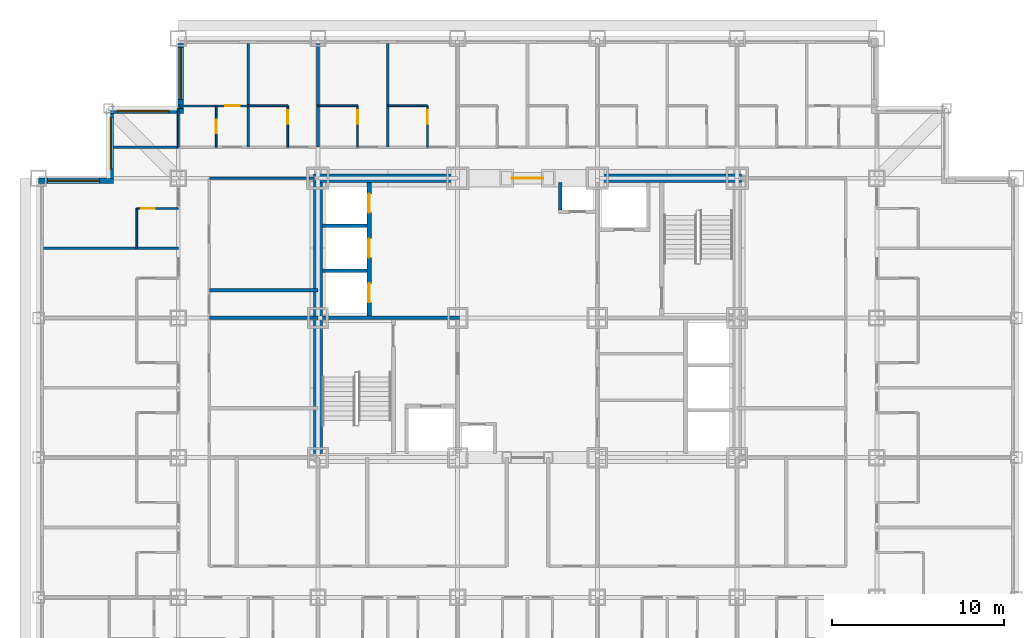
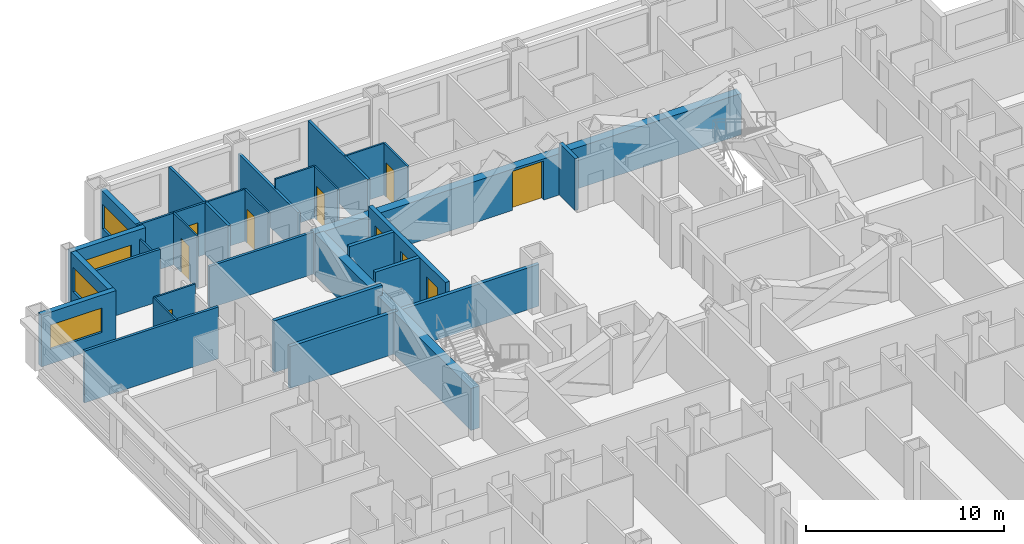
# One storey, part 8 of 12: 30 walls, 10 doors, 4 windows, 14 openings.
"""IFC4 building model written with IfcOpenShell, lengths in metres."""

from ifc_helpers import new_model, si_unit, direction, frame, frame_2d, origin, place, context, subcontext, project, spatial, rectangle, extrude, material, layer, layer_set, type_object, element, fill, save


model = new_model("IFC4")

# Units and contexts
model_context = context("Model", 3, precision=1e-05, world=origin(), true_north=direction((0.0, 1.0)))
body_context = subcontext(model_context, "Body", "Model", "MODEL_VIEW")
ifc_project = project(units=[si_unit("LENGTHUNIT", "METRE"), si_unit("AREAUNIT", "SQUARE_METRE"), si_unit("VOLUMEUNIT", "CUBIC_METRE"), si_unit("PLANEANGLEUNIT", "RADIAN"), si_unit("MASSUNIT", "GRAM", prefix="KILO")], contexts=[model_context])

# Site, building, storey
site_placement = place(None, origin())
site = spatial("IfcSite", under=ifc_project, at=site_placement, CompositionType="ELEMENT")
building_placement = place(site_placement, origin())
building = spatial("IfcBuilding", under=site, at=building_placement, Name="Kopane Lantern Tower", CompositionType="ELEMENT")
storey_placement = place(building_placement, frame((0.0, 0.0, 43.199951171875)))
storey = spatial("IfcBuildingStorey", under=building, at=storey_placement, Name="L09", CompositionType="ELEMENT", Elevation=43.199951171875)

# Wall, opening, door
ifc_material_1 = material(Name="Gypsum board on steel studs", Category="steel")
ifc_layer_1 = layer(ifc_material_1, 0.1201171875)
ifc_layer_set_1 = layer_set([ifc_layer_1], Name="APARTMENT INTERNAL WALL 120")
wall_type_1 = type_object("IfcWallType", Name="APARTMENT INTERNAL WALL 120", PredefinedType="PARTITIONING", material=ifc_layer_set_1)
wall_1_placement = place(storey_placement, frame((8.10009765625, 44.699951171875, 0.0), z_axis=(0.0, 0.0, 1.0), x_axis=(1.0, 0.0, 0.0)))
wall_1 = element("IfcWall", 1, at=wall_1_placement, inside=storey, type_object=wall_type_1, Name="Apartment Internal Wall 120 L09", PredefinedType="PARTITIONING", context=body_context, shape_type="SweptSolid", body=[
    extrude(rectangle(XDim=4.0498046875, YDim=0.1201171875, at=frame_2d((2.02490234375, 0.0))), origin(), (0.0, 0.0, 1.0), 3.18994140625),
])
opening_1_placement = place(wall_1_placement, frame((2.72509765625, 0.0, 0.0)))
opening_1 = element("IfcOpeningElement", 2, at=opening_1_placement, cuts=wall_1, Name="Opening L09-088", PredefinedType="OPENING", context=body_context, shape_type="SweptSolid", body=[
    extrude(rectangle(XDim=0.85009765625, YDim=2.10009765625, at=frame_2d((0.425048828125, 1.050048828125))), frame((0.0, 0.070068359375, 0.0), z_axis=(0.0, -1.0, 0.0), x_axis=(1.0, 0.0, 0.0)), (0.0, 0.0, 1.0), 0.14013671875),
])
ifc_material_2 = material(Name="Timber door set", Category="wood")
door_type_1 = type_object("IfcDoorType", Name="DOOR D4 850x2100", OperationType="SINGLE_SWING_LEFT", PredefinedType="DOOR", material=ifc_material_2)
door_1_placement = place(opening_1_placement, origin())
door_1 = element("IfcDoor", 3, at=door_1_placement, inside=storey, type_object=door_type_1, Name="Door L09-088", OperationType="SINGLE_SWING_LEFT", OverallHeight=2.10009765625, OverallWidth=0.85009765625, PredefinedType="DOOR", context=body_context, shape_type="SweptSolid", body=[
    extrude(rectangle(XDim=0.85009765625, YDim=2.10009765625, at=frame_2d((0.425048828125, 1.050048828125))), frame((0.0, 0.02490234375, 0.0), z_axis=(0.0, -1.0, 0.0), x_axis=(1.0, 0.0, 0.0)), (0.0, 0.0, 1.0), 0.050048828125),
])
fill(opening_1, door_1)

# Wall
ifc_material_3 = material(Name="Moisture-resistant board on steel studs", Category="steel")
ifc_layer_2 = layer(ifc_material_3, 0.10009765625)
ifc_layer_set_2 = layer_set([ifc_layer_2], Name="BATHROOM WALL 100")
wall_type_2 = type_object("IfcWallType", Name="BATHROOM WALL 100", PredefinedType="PARTITIONING", material=ifc_layer_set_2)
wall_2_placement = place(storey_placement, frame((12.14990234375, 44.699951171875, 0.0), z_axis=(0.0, 0.0, 1.0), x_axis=(1.0, 0.0, 0.0)))
element("IfcWall", 4, at=wall_2_placement, inside=storey, type_object=wall_type_2, Name="Bathroom Wall 100 L09", PredefinedType="PARTITIONING", context=body_context, shape_type="SweptSolid", body=[
    extrude(rectangle(XDim=2.300048828125, YDim=0.10009765625, at=frame_2d((1.14990234375, 0.0))), origin(), (0.0, 0.0, 1.0), 3.18994140625),
])

# Wall, opening, door
wall_3_placement = place(storey_placement, frame((14.449951171875, 42.300048828125, 0.0), z_axis=(0.0, 0.0, 1.0), x_axis=(0.0, 1.0, 0.0)))
wall_3 = element("IfcWall", 5, at=wall_3_placement, inside=storey, type_object=wall_type_2, Name="Bathroom Wall 100 L09", PredefinedType="PARTITIONING", context=body_context, shape_type="SweptSolid", body=[
    extrude(rectangle(XDim=2.39990234375, YDim=0.10009765625, at=frame_2d((1.199951171875, 0.0))), origin(), (0.0, 0.0, 1.0), 3.18994140625),
])
opening_2_placement = place(wall_3_placement, frame((1.35009765625, 0.0, 0.0)))
opening_2 = element("IfcOpeningElement", 6, at=opening_2_placement, cuts=wall_3, Name="Opening L09-033", PredefinedType="OPENING", context=body_context, shape_type="SweptSolid", body=[
    extrude(rectangle(XDim=0.800048828125, YDim=2.10009765625, at=frame_2d((0.39990234375, 1.050048828125))), frame((0.0, 0.06005859375, 0.0), z_axis=(0.0, -1.0, 0.0), x_axis=(1.0, 0.0, 0.0)), (0.0, 0.0, 1.0), 0.1201171875),
])
ifc_material_4 = material(Name="Timber door set", Category="wood")
door_type_2 = type_object("IfcDoorType", Name="DOOR D2 800x2100", OperationType="SINGLE_SWING_LEFT", PredefinedType="DOOR", material=ifc_material_4)
door_2_placement = place(opening_2_placement, origin())
door_2 = element("IfcDoor", 7, at=door_2_placement, inside=storey, type_object=door_type_2, Name="Door L09-033", OperationType="SINGLE_SWING_RIGHT", OverallHeight=2.10009765625, OverallWidth=0.800048828125, PredefinedType="DOOR", context=body_context, shape_type="SweptSolid", body=[
    extrude(rectangle(XDim=0.800048828125, YDim=2.10009765625, at=frame_2d((0.39990234375, 1.050048828125))), frame((0.0, 0.02490234375, 0.0), z_axis=(0.0, -1.0, 0.0), x_axis=(1.0, 0.0, 0.0)), (0.0, 0.0, 1.0), 0.050048828125),
])
fill(opening_2, door_2)

# Wall
wall_4_placement = place(storey_placement, frame((16.199951171875, 44.699951171875, 0.0), z_axis=(0.0, 0.0, 1.0), x_axis=(1.0, 0.0, 0.0)))
element("IfcWall", 8, at=wall_4_placement, inside=storey, type_object=wall_type_2, Name="Bathroom Wall 100 L09", PredefinedType="PARTITIONING", context=body_context, shape_type="SweptSolid", body=[
    extrude(rectangle(XDim=2.300048828125, YDim=0.10009765625, at=frame_2d((1.14990234375, 0.0))), origin(), (0.0, 0.0, 1.0), 3.18994140625),
])

# Wall, opening, door
wall_5_placement = place(storey_placement, frame((18.5, 42.300048828125, 0.0), z_axis=(0.0, 0.0, 1.0), x_axis=(0.0, 1.0, 0.0)))
wall_5 = element("IfcWall", 9, at=wall_5_placement, inside=storey, type_object=wall_type_2, Name="Bathroom Wall 100 L09", PredefinedType="PARTITIONING", context=body_context, shape_type="SweptSolid", body=[
    extrude(rectangle(XDim=2.39990234375, YDim=0.10009765625, at=frame_2d((1.199951171875, 0.0))), origin(), (0.0, 0.0, 1.0), 3.18994140625),
])
opening_3_placement = place(wall_5_placement, frame((1.35009765625, 0.0, 0.0)))
opening_3 = element("IfcOpeningElement", 10, at=opening_3_placement, cuts=wall_5, Name="Opening L09-035", PredefinedType="OPENING", context=body_context, shape_type="SweptSolid", body=[
    extrude(rectangle(XDim=0.800048828125, YDim=2.10009765625, at=frame_2d((0.39990234375, 1.050048828125))), frame((0.0, 0.06005859375, 0.0), z_axis=(0.0, -1.0, 0.0), x_axis=(1.0, 0.0, 0.0)), (0.0, 0.0, 1.0), 0.1201171875),
])
door_3_placement = place(opening_3_placement, origin())
door_3 = element("IfcDoor", 11, at=door_3_placement, inside=storey, type_object=door_type_2, Name="Door L09-035", OperationType="SINGLE_SWING_RIGHT", OverallHeight=2.10009765625, OverallWidth=0.800048828125, PredefinedType="DOOR", context=body_context, shape_type="SweptSolid", body=[
    extrude(rectangle(XDim=0.800048828125, YDim=2.10009765625, at=frame_2d((0.39990234375, 1.050048828125))), frame((0.0, 0.02490234375, 0.0), z_axis=(0.0, -1.0, 0.0), x_axis=(1.0, 0.0, 0.0)), (0.0, 0.0, 1.0), 0.050048828125),
])
fill(opening_3, door_3)

# Wall
wall_6_placement = place(storey_placement, frame((20.25, 44.699951171875, 0.0), z_axis=(0.0, 0.0, 1.0), x_axis=(1.0, 0.0, 0.0)))
element("IfcWall", 12, at=wall_6_placement, inside=storey, type_object=wall_type_2, Name="Bathroom Wall 100 L09", PredefinedType="PARTITIONING", context=body_context, shape_type="SweptSolid", body=[
    extrude(rectangle(XDim=2.300048828125, YDim=0.10009765625, at=frame_2d((1.14990234375, 0.0))), origin(), (0.0, 0.0, 1.0), 3.18994140625),
])

# Wall, opening, door
wall_7_placement = place(storey_placement, frame((22.550048828125, 42.300048828125, 0.0), z_axis=(0.0, 0.0, 1.0), x_axis=(0.0, 1.0, 0.0)))
wall_7 = element("IfcWall", 13, at=wall_7_placement, inside=storey, type_object=wall_type_2, Name="Bathroom Wall 100 L09", PredefinedType="PARTITIONING", context=body_context, shape_type="SweptSolid", body=[
    extrude(rectangle(XDim=2.39990234375, YDim=0.10009765625, at=frame_2d((1.199951171875, 0.0))), origin(), (0.0, 0.0, 1.0), 3.18994140625),
])
opening_4_placement = place(wall_7_placement, frame((1.35009765625, 0.0, 0.0)))
opening_4 = element("IfcOpeningElement", 14, at=opening_4_placement, cuts=wall_7, Name="Opening L09-037", PredefinedType="OPENING", context=body_context, shape_type="SweptSolid", body=[
    extrude(rectangle(XDim=0.800048828125, YDim=2.10009765625, at=frame_2d((0.39990234375, 1.050048828125))), frame((0.0, 0.06005859375, 0.0), z_axis=(0.0, -1.0, 0.0), x_axis=(1.0, 0.0, 0.0)), (0.0, 0.0, 1.0), 0.1201171875),
])
door_4_placement = place(opening_4_placement, origin())
door_4 = element("IfcDoor", 15, at=door_4_placement, inside=storey, type_object=door_type_2, Name="Door L09-037", OperationType="SINGLE_SWING_RIGHT", OverallHeight=2.10009765625, OverallWidth=0.800048828125, PredefinedType="DOOR", context=body_context, shape_type="SweptSolid", body=[
    extrude(rectangle(XDim=0.800048828125, YDim=2.10009765625, at=frame_2d((0.39990234375, 1.050048828125))), frame((0.0, 0.02490234375, 0.0), z_axis=(0.0, -1.0, 0.0), x_axis=(1.0, 0.0, 0.0)), (0.0, 0.0, 1.0), 0.050048828125),
])
fill(opening_4, door_4)

# Wall
wall_8_placement = place(storey_placement, frame((5.699951171875, 36.449951171875, 0.0), z_axis=(0.0, 0.0, 1.0), x_axis=(0.0, 1.0, 0.0)))
element("IfcWall", 16, at=wall_8_placement, inside=storey, type_object=wall_type_2, Name="Bathroom Wall 100 L09", PredefinedType="PARTITIONING", context=body_context, shape_type="SweptSolid", body=[
    extrude(rectangle(XDim=2.300048828125, YDim=0.10009765625, at=frame_2d((1.14990234375, 0.0))), origin(), (0.0, 0.0, 1.0), 3.18994140625),
])

# Wall, opening, door
wall_9_placement = place(storey_placement, frame((8.10009765625, 38.75, 0.0), z_axis=(0.0, 0.0, 1.0), x_axis=(-1.0, 0.0, 0.0)))
wall_9 = element("IfcWall", 17, at=wall_9_placement, inside=storey, type_object=wall_type_2, Name="Bathroom Wall 100 L09", PredefinedType="PARTITIONING", context=body_context, shape_type="SweptSolid", body=[
    extrude(rectangle(XDim=2.400146484375, YDim=0.10009765625, at=frame_2d((1.2001953125, 0.0))), origin(), (0.0, 0.0, 1.0), 3.18994140625),
])
opening_5_placement = place(wall_9_placement, frame((1.35009765625, 0.0, 0.0)))
opening_5 = element("IfcOpeningElement", 18, at=opening_5_placement, cuts=wall_9, Name="Opening L09-059", PredefinedType="OPENING", context=body_context, shape_type="SweptSolid", body=[
    extrude(rectangle(XDim=0.800048828125, YDim=2.10009765625, at=frame_2d((0.39990234375, 1.050048828125))), frame((0.0, 0.06005859375, 0.0), z_axis=(0.0, -1.0, 0.0), x_axis=(1.0, 0.0, 0.0)), (0.0, 0.0, 1.0), 0.1201171875),
])
door_5_placement = place(opening_5_placement, origin())
door_5 = element("IfcDoor", 19, at=door_5_placement, inside=storey, type_object=door_type_2, Name="Door L09-059", OperationType="SINGLE_SWING_RIGHT", OverallHeight=2.10009765625, OverallWidth=0.800048828125, PredefinedType="DOOR", context=body_context, shape_type="SweptSolid", body=[
    extrude(rectangle(XDim=0.800048828125, YDim=2.10009765625, at=frame_2d((0.39990234375, 1.050048828125))), frame((0.0, 0.02490234375, 0.0), z_axis=(0.0, -1.0, 0.0), x_axis=(1.0, 0.0, 0.0)), (0.0, 0.0, 1.0), 0.050048828125),
])
fill(opening_5, door_5)

wall_10_placement = place(storey_placement, frame((10.300048828125, 42.300048828125, 0.0), z_axis=(0.0, 0.0, 1.0), x_axis=(0.0, 1.0, 0.0)))
wall_10 = element("IfcWall", 20, at=wall_10_placement, inside=storey, type_object=wall_type_2, Name="Bathroom Wall 100 L09", PredefinedType="PARTITIONING", context=body_context, shape_type="SweptSolid", body=[
    extrude(rectangle(XDim=2.39990234375, YDim=0.10009765625, at=frame_2d((1.199951171875, 0.0))), origin(), (0.0, 0.0, 1.0), 3.18994140625),
])
opening_6_placement = place(wall_10_placement, frame((0.800048828125, 0.0, 0.0)))
opening_6 = element("IfcOpeningElement", 21, at=opening_6_placement, cuts=wall_10, Name="Opening L09-086", PredefinedType="OPENING", context=body_context, shape_type="SweptSolid", body=[
    extrude(rectangle(XDim=0.800048828125, YDim=2.10009765625, at=frame_2d((0.39990234375, 1.050048828125))), frame((0.0, 0.06005859375, 0.0), z_axis=(0.0, -1.0, 0.0), x_axis=(1.0, 0.0, 0.0)), (0.0, 0.0, 1.0), 0.1201171875),
])
door_6_placement = place(opening_6_placement, origin())
door_6 = element("IfcDoor", 22, at=door_6_placement, inside=storey, type_object=door_type_2, Name="Door L09-086", OperationType="SINGLE_SWING_LEFT", OverallHeight=2.10009765625, OverallWidth=0.800048828125, PredefinedType="DOOR", context=body_context, shape_type="SweptSolid", body=[
    extrude(rectangle(XDim=0.800048828125, YDim=2.10009765625, at=frame_2d((0.39990234375, 1.050048828125))), frame((0.0, 0.02490234375, 0.0), z_axis=(0.0, -1.0, 0.0), x_axis=(1.0, 0.0, 0.0)), (0.0, 0.0, 1.0), 0.050048828125),
])
fill(opening_6, door_6)

# Wall
wall_11_placement = place(storey_placement, frame((8.10009765625, 42.300048828125, 0.0), z_axis=(0.0, 0.0, 1.0), x_axis=(0.0, 1.0, 0.0)))
element("IfcWall", 23, at=wall_11_placement, inside=storey, type_object=wall_type_2, Name="Bathroom Wall 100 L09", PredefinedType="PARTITIONING", context=body_context, shape_type="SweptSolid", body=[
    extrude(rectangle(XDim=2.25, YDim=0.10009765625, at=frame_2d((1.125, 0.0))), origin(), (0.0, 0.0, 1.0), 2.577880859375),
])

# Wall, opening, door
ifc_material_5 = material(Name="Gypsum shaft wall EI 120", Category="gypsum")
ifc_layer_3 = layer(ifc_material_5, 0.5)
ifc_layer_set_3 = layer_set([ifc_layer_3], Name="CORE PERIMETER WALL 500 EI 120")
wall_type_3 = type_object("IfcWallType", Name="CORE PERIMETER WALL 500 EI 120", PredefinedType="SOLIDWALL", material=ifc_layer_set_3)
wall_12_placement = place(storey_placement, frame((15.949951171875, 40.5, 0.0), z_axis=(0.0, 0.0, 1.0), x_axis=(1.0, 0.0, 0.0)))
wall_12 = element("IfcWall", 24, at=wall_12_placement, inside=storey, type_object=wall_type_3, Name="Core shaft wall L09 PN", PredefinedType="SOLIDWALL", context=body_context, shape_type="SweptSolid", body=[
    extrude(rectangle(XDim=24.800048828125, YDim=0.5, at=frame_2d((12.39990234375, 0.0))), origin(), (0.0, 0.0, 1.0), 2.5400390625),
])
opening_7_placement = place(wall_12_placement, frame((11.5, 0.0, 0.0)))
opening_7 = element("IfcOpeningElement", 25, at=opening_7_placement, cuts=wall_12, Name="Opening 09.CE-N", PredefinedType="OPENING", context=body_context, shape_type="SweptSolid", body=[
    extrude(rectangle(XDim=1.800048828125, YDim=2.39990234375, at=frame_2d((0.89990234375, 1.199951171875))), frame((0.0, 0.260009765625, 0.0), z_axis=(0.0, -1.0, 0.0), x_axis=(1.0, 0.0, 0.0)), (0.0, 0.0, 1.0), 0.52001953125),
])
ifc_material_6 = material(Name="Steel door set", Category="steel")
door_type_3 = type_object("IfcDoorType", Name="CORE ENTRY DOOR 1800x2400 FD60S", OperationType="DOUBLE_DOOR_SINGLE_SWING", PredefinedType="DOOR", material=ifc_material_6)
door_7_placement = place(opening_7_placement, origin())
door_7 = element("IfcDoor", 26, at=door_7_placement, inside=storey, type_object=door_type_3, Name="Core entry door L09 north", OperationType="DOUBLE_DOOR_SINGLE_SWING", OverallHeight=2.39990234375, OverallWidth=1.800048828125, PredefinedType="DOOR", context=body_context, shape_type="SweptSolid", body=[
    extrude(rectangle(XDim=1.800048828125, YDim=2.39990234375, at=frame_2d((0.89990234375, 1.199951171875))), frame((0.0, 0.02490234375, 0.0), z_axis=(0.0, -1.0, 0.0), x_axis=(1.0, 0.0, 0.0)), (0.0, 0.0, 1.0), 0.050048828125),
])
fill(opening_7, door_7)

# Wall
wall_13_placement = place(storey_placement, frame((16.199951171875, 24.550048828125, 0.0), z_axis=(0.0, 0.0, 1.0), x_axis=(0.0, 1.0, 0.0)))
element("IfcWall", 27, at=wall_13_placement, inside=storey, type_object=wall_type_3, Name="Core shaft wall L09 PW", PredefinedType="SOLIDWALL", context=body_context, shape_type="SweptSolid", body=[
    extrude(rectangle(XDim=15.699951171875, YDim=0.5, at=frame_2d((7.85009765625, 0.0))), origin(), (0.0, 0.0, 1.0), 2.577880859375),
])

# Wall, openings, doors
ifc_material_7 = material(Name="Gypsum shaft wall EI 120", Category="gypsum")
ifc_layer_4 = layer(ifc_material_7, 0.25)
ifc_layer_set_4 = layer_set([ifc_layer_4], Name="CORE SHAFT WALL 250 EI 120")
wall_type_4 = type_object("IfcWallType", Name="CORE SHAFT WALL 250 EI 120", PredefinedType="SOLIDWALL", material=ifc_layer_set_4)
wall_14_placement = place(storey_placement, frame((19.175048828125, 32.5, 0.0), z_axis=(0.0, 0.0, 1.0), x_axis=(0.0, 1.0, 0.0)))
wall_14 = element("IfcWall", 28, at=wall_14_placement, inside=storey, type_object=wall_type_4, Name="Core shaft wall L09 XLH", PredefinedType="SOLIDWALL", context=body_context, shape_type="SweptSolid", body=[
    extrude(rectangle(XDim=7.75, YDim=0.25, at=frame_2d((3.875, 0.0))), origin(), (0.0, 0.0, 1.0), 3.18994140625),
])
opening_8_placement = place(wall_14_placement, frame((0.800048828125, 0.0, 0.0)))
opening_8 = element("IfcOpeningElement", 29, at=opening_8_placement, cuts=wall_14, Name="Opening 09.LD-LH1", PredefinedType="OPENING", context=body_context, shape_type="SweptSolid", body=[
    extrude(rectangle(XDim=1.10009765625, YDim=2.39990234375, at=frame_2d((0.550048828125, 1.199951171875))), frame((0.0, 0.135009765625, 0.0), z_axis=(0.0, -1.0, 0.0), x_axis=(1.0, 0.0, 0.0)), (0.0, 0.0, 1.0), 0.27001953125),
])
opening_9_placement = place(wall_14_placement, frame((3.39990234375, 0.0, 0.0)))
opening_9 = element("IfcOpeningElement", 30, at=opening_9_placement, cuts=wall_14, Name="Opening 09.LD-LH2", PredefinedType="OPENING", context=body_context, shape_type="SweptSolid", body=[
    extrude(rectangle(XDim=1.10009765625, YDim=2.39990234375, at=frame_2d((0.550048828125, 1.199951171875))), frame((0.0, 0.135009765625, 0.0), z_axis=(0.0, -1.0, 0.0), x_axis=(1.0, 0.0, 0.0)), (0.0, 0.0, 1.0), 0.27001953125),
])
opening_10_placement = place(wall_14_placement, frame((6.0, 0.0, 0.0)))
opening_10 = element("IfcOpeningElement", 31, at=opening_10_placement, cuts=wall_14, Name="Opening 09.LD-LH3", PredefinedType="OPENING", context=body_context, shape_type="SweptSolid", body=[
    extrude(rectangle(XDim=1.10009765625, YDim=2.39990234375, at=frame_2d((0.550048828125, 1.199951171875))), frame((0.0, 0.135009765625, 0.0), z_axis=(0.0, -1.0, 0.0), x_axis=(1.0, 0.0, 0.0)), (0.0, 0.0, 1.0), 0.27001953125),
])
ifc_material_8 = material(Name="Steel door set", Category="steel")
door_type_4 = type_object("IfcDoorType", Name="LIFT LANDING DOOR 1100x2400 FD60", OperationType="DOUBLE_DOOR_SLIDING", PredefinedType="DOOR", material=ifc_material_8)
door_8_placement = place(opening_8_placement, origin())
door_8 = element("IfcDoor", 32, at=door_8_placement, inside=storey, type_object=door_type_4, Name="Landing door LH1 L09", OperationType="DOUBLE_DOOR_SLIDING", OverallHeight=2.39990234375, OverallWidth=1.10009765625, PredefinedType="DOOR", context=body_context, shape_type="SweptSolid", body=[
    extrude(rectangle(XDim=1.10009765625, YDim=2.39990234375, at=frame_2d((0.550048828125, 1.199951171875))), frame((0.0, 0.02490234375, 0.0), z_axis=(0.0, -1.0, 0.0), x_axis=(1.0, 0.0, 0.0)), (0.0, 0.0, 1.0), 0.050048828125),
])
fill(opening_8, door_8)
door_9_placement = place(opening_9_placement, origin())
door_9 = element("IfcDoor", 33, at=door_9_placement, inside=storey, type_object=door_type_4, Name="Landing door LH2 L09", OperationType="DOUBLE_DOOR_SLIDING", OverallHeight=2.39990234375, OverallWidth=1.10009765625, PredefinedType="DOOR", context=body_context, shape_type="SweptSolid", body=[
    extrude(rectangle(XDim=1.10009765625, YDim=2.39990234375, at=frame_2d((0.550048828125, 1.199951171875))), frame((0.0, 0.02490234375, 0.0), z_axis=(0.0, -1.0, 0.0), x_axis=(1.0, 0.0, 0.0)), (0.0, 0.0, 1.0), 0.050048828125),
])
fill(opening_9, door_9)
door_10_placement = place(opening_10_placement, origin())
door_10 = element("IfcDoor", 34, at=door_10_placement, inside=storey, type_object=door_type_4, Name="Landing door LH3 L09", OperationType="DOUBLE_DOOR_SLIDING", OverallHeight=2.39990234375, OverallWidth=1.10009765625, PredefinedType="DOOR", context=body_context, shape_type="SweptSolid", body=[
    extrude(rectangle(XDim=1.10009765625, YDim=2.39990234375, at=frame_2d((0.550048828125, 1.199951171875))), frame((0.0, 0.02490234375, 0.0), z_axis=(0.0, -1.0, 0.0), x_axis=(1.0, 0.0, 0.0)), (0.0, 0.0, 1.0), 0.050048828125),
])
fill(opening_10, door_10)

# Walls
ifc_material_9 = material(Name="Gypsum board on steel studs", Category="steel")
ifc_layer_5 = layer(ifc_material_9, 0.14990234375)
ifc_layer_set_5 = layer_set([ifc_layer_5], Name="CORRIDOR WALL 150 EI 60")
wall_type_5 = type_object("IfcWallType", Name="CORRIDOR WALL 150 EI 60", PredefinedType="PARTITIONING", material=ifc_layer_set_5)
wall_15_placement = place(storey_placement, frame((16.0, 40.5, 0.0), z_axis=(0.0, 0.0, 1.0), x_axis=(-1.0, 0.0, 0.0)))
element("IfcWall", 35, at=wall_15_placement, inside=storey, type_object=wall_type_5, Name="Corridor Wall 150 Ei 60 L09", PredefinedType="PARTITIONING", context=body_context, shape_type="SweptSolid", body=[
    extrude(rectangle(XDim=6.10009765625, YDim=0.14990234375, at=frame_2d((3.050048828125, 0.0))), origin(), (0.0, 0.0, 1.0), 2.577880859375),
])
ifc_material_10 = material(Name="Gypsum board on steel studs", Category="steel")
ifc_layer_6 = layer(ifc_material_10, 0.14990234375)
ifc_layer_set_6 = layer_set([ifc_layer_6], Name="DEMISING WALL 150 EI 60")
wall_type_6 = type_object("IfcWallType", Name="DEMISING WALL 150 EI 60", PredefinedType="PARTITIONING", material=ifc_layer_set_6)
wall_16_placement = place(storey_placement, frame((16.199951171875, 42.300048828125, 0.0), z_axis=(0.0, 0.0, 1.0), x_axis=(0.0, 1.0, 0.0)))
element("IfcWall", 36, at=wall_16_placement, inside=storey, type_object=wall_type_6, Name="Demising Wall 150 Ei 60 L09", PredefinedType="PARTITIONING", context=body_context, shape_type="SweptSolid", body=[
    extrude(rectangle(XDim=6.0, YDim=0.14990234375, at=frame_2d((3.0, 0.0))), origin(), (0.0, 0.0, 1.0), 2.577880859375),
])
wall_17_placement = place(storey_placement, frame((20.25, 42.300048828125, 0.0), z_axis=(0.0, 0.0, 1.0), x_axis=(0.0, 1.0, 0.0)))
element("IfcWall", 37, at=wall_17_placement, inside=storey, type_object=wall_type_6, Name="Demising Wall 150 Ei 60 L09", PredefinedType="PARTITIONING", context=body_context, shape_type="SweptSolid", body=[
    extrude(rectangle(XDim=6.0, YDim=0.14990234375, at=frame_2d((3.0, 0.0))), origin(), (0.0, 0.0, 1.0), 3.18994140625),
])
wall_18_placement = place(storey_placement, frame((8.10009765625, 36.449951171875, 0.0), z_axis=(0.0, 0.0, 1.0), x_axis=(-1.0, 0.0, 0.0)))
element("IfcWall", 38, at=wall_18_placement, inside=storey, type_object=wall_type_6, Name="Demising Wall 150 Ei 60 L09", PredefinedType="PARTITIONING", context=body_context, shape_type="SweptSolid", body=[
    extrude(rectangle(XDim=7.800048828125, YDim=0.14990234375, at=frame_2d((3.89990234375, 0.0))), origin(), (0.0, 0.0, 1.0), 3.18994140625),
])
wall_19_placement = place(storey_placement, frame((4.35009765625, 42.300048828125, 0.0), z_axis=(0.0, 0.0, 1.0), x_axis=(1.0, 0.0, 0.0)))
element("IfcWall", 39, at=wall_19_placement, inside=storey, type_object=wall_type_6, Name="Demising Wall 150 Ei 60 L09", PredefinedType="PARTITIONING", context=body_context, shape_type="SweptSolid", body=[
    extrude(rectangle(XDim=3.75, YDim=0.14990234375, at=frame_2d((1.875, 0.0))), origin(), (0.0, 0.0, 1.0), 3.18994140625),
])
wall_20_placement = place(storey_placement, frame((12.14990234375, 42.300048828125, 0.0), z_axis=(0.0, 0.0, 1.0), x_axis=(0.0, 1.0, 0.0)))
element("IfcWall", 40, at=wall_20_placement, inside=storey, type_object=wall_type_6, Name="Demising Wall 150 Ei 60 L09", PredefinedType="PARTITIONING", context=body_context, shape_type="SweptSolid", body=[
    extrude(rectangle(XDim=6.0, YDim=0.14990234375, at=frame_2d((3.0, 0.0))), origin(), (0.0, 0.0, 1.0), 3.18994140625),
])

# Wall, opening, window
ifc_material_11 = material(Name="Terracotta rainscreen on light steel framing", Category="masonry")
ifc_layer_7 = layer(ifc_material_11, 0.300048828125)
ifc_layer_set_7 = layer_set([ifc_layer_7], Name="EXTERNAL WALL EW1 300 TERRACOTTA")
wall_type_7 = type_object("IfcWallType", Name="EXTERNAL WALL EW1 300 TERRACOTTA", PredefinedType="SOLIDWALL", material=ifc_layer_set_7)
wall_21_placement = place(storey_placement, frame((8.25, 48.300048828125, 0.0), z_axis=(0.0, 0.0, 1.0), x_axis=(0.0, -1.0, 0.0)))
wall_21 = element("IfcWall", 41, at=wall_21_placement, inside=storey, type_object=wall_type_7, Name="External wall W L09", PredefinedType="SOLIDWALL", context=body_context, shape_type="SweptSolid", body=[
    extrude(rectangle(XDim=3.75, YDim=0.300048828125, at=frame_2d((1.875, 0.0))), origin(), (0.0, 0.0, 1.0), 3.18994140625),
])
opening_11_placement = place(wall_21_placement, frame((0.22509765625, 0.0, 0.89990234375)))
opening_11 = element("IfcOpeningElement", 42, at=opening_11_placement, cuts=wall_21, Name="Opening WR300150", PredefinedType="OPENING", context=body_context, shape_type="SweptSolid", body=[
    extrude(rectangle(XDim=3.0, YDim=1.5, at=frame_2d((1.5, 0.75))), frame((0.0, 0.159912109375, 0.0), z_axis=(0.0, -1.0, 0.0), x_axis=(1.0, 0.0, 0.0)), (0.0, 0.0, 1.0), 0.320068359375),
])
ifc_material_12 = material(Name="Aluminium and clear glass", Category="aluminium")
window_type = type_object("IfcWindowType", Name="RIBBON WINDOW WR300150 3000x1500", PartitioningType="SINGLE_PANEL", PredefinedType="WINDOW", material=ifc_material_12)
window_1_placement = place(opening_11_placement, origin())
window_1 = element("IfcWindow", 43, at=window_1_placement, inside=storey, type_object=window_type, Name="Window W L09", OverallHeight=1.5, OverallWidth=3.0, PartitioningType="SINGLE_PANEL", PredefinedType="WINDOW", context=body_context, shape_type="SweptSolid", body=[
    extrude(rectangle(XDim=3.0, YDim=1.5, at=frame_2d((1.5, 0.75))), frame((0.0, 0.030029296875, 0.0), z_axis=(0.0, -1.0, 0.0), x_axis=(1.0, 0.0, 0.0)), (0.0, 0.0, 1.0), 0.06005859375),
])
fill(opening_11, window_1)

wall_22_placement = place(storey_placement, frame((8.39990234375, 44.39990234375, 0.0), z_axis=(0.0, 0.0, 1.0), x_axis=(-1.0, 0.0, 0.0)))
wall_22 = element("IfcWall", 44, at=wall_22_placement, inside=storey, type_object=wall_type_7, Name="External wall N L09", PredefinedType="SOLIDWALL", context=body_context, shape_type="SweptSolid", body=[
    extrude(rectangle(XDim=4.349853515625, YDim=0.300048828125, at=frame_2d((2.1748046875, 0.0))), origin(), (0.0, 0.0, 1.0), 3.18994140625),
])
opening_12_placement = place(wall_22_placement, frame((0.824951171875, 0.0, 0.89990234375)))
opening_12 = element("IfcOpeningElement", 45, at=opening_12_placement, cuts=wall_22, Name="Opening WR300150", PredefinedType="OPENING", context=body_context, shape_type="SweptSolid", body=[
    extrude(rectangle(XDim=3.0, YDim=1.5, at=frame_2d((1.5, 0.75))), frame((0.0, 0.159912109375, 0.0), z_axis=(0.0, -1.0, 0.0), x_axis=(1.0, 0.0, 0.0)), (0.0, 0.0, 1.0), 0.320068359375),
])
window_2_placement = place(opening_12_placement, origin())
window_2 = element("IfcWindow", 46, at=window_2_placement, inside=storey, type_object=window_type, Name="Window N L09", OverallHeight=1.5, OverallWidth=3.0, PartitioningType="SINGLE_PANEL", PredefinedType="WINDOW", context=body_context, shape_type="SweptSolid", body=[
    extrude(rectangle(XDim=3.0, YDim=1.5, at=frame_2d((1.5, 0.75))), frame((0.0, 0.030029296875, 0.0), z_axis=(0.0, -1.0, 0.0), x_axis=(1.0, 0.0, 0.0)), (0.0, 0.0, 1.0), 0.06005859375),
])
fill(opening_12, window_2)

wall_23_placement = place(storey_placement, frame((4.199951171875, 44.25, 0.0), z_axis=(0.0, 0.0, 1.0), x_axis=(0.0, -1.0, 0.0)))
wall_23 = element("IfcWall", 47, at=wall_23_placement, inside=storey, type_object=wall_type_7, Name="External wall W L09", PredefinedType="SOLIDWALL", context=body_context, shape_type="SweptSolid", body=[
    extrude(rectangle(XDim=3.75, YDim=0.300048828125, at=frame_2d((1.875, 0.0))), origin(), (0.0, 0.0, 1.0), 3.18994140625),
])
opening_13_placement = place(wall_23_placement, frame((0.22509765625, 0.0, 0.89990234375)))
opening_13 = element("IfcOpeningElement", 48, at=opening_13_placement, cuts=wall_23, Name="Opening WR300150", PredefinedType="OPENING", context=body_context, shape_type="SweptSolid", body=[
    extrude(rectangle(XDim=3.0, YDim=1.5, at=frame_2d((1.5, 0.75))), frame((0.0, 0.159912109375, 0.0), z_axis=(0.0, -1.0, 0.0), x_axis=(1.0, 0.0, 0.0)), (0.0, 0.0, 1.0), 0.320068359375),
])
window_3_placement = place(opening_13_placement, origin())
window_3 = element("IfcWindow", 49, at=window_3_placement, inside=storey, type_object=window_type, Name="Window W L09", OverallHeight=1.5, OverallWidth=3.0, PartitioningType="SINGLE_PANEL", PredefinedType="WINDOW", context=body_context, shape_type="SweptSolid", body=[
    extrude(rectangle(XDim=3.0, YDim=1.5, at=frame_2d((1.5, 0.75))), frame((0.0, 0.030029296875, 0.0), z_axis=(0.0, -1.0, 0.0), x_axis=(1.0, 0.0, 0.0)), (0.0, 0.0, 1.0), 0.06005859375),
])
fill(opening_13, window_3)

wall_24_placement = place(storey_placement, frame((4.35009765625, 40.35009765625, 0.0), z_axis=(0.0, 0.0, 1.0), x_axis=(-1.0, 0.0, 0.0)))
wall_24 = element("IfcWall", 50, at=wall_24_placement, inside=storey, type_object=wall_type_7, Name="External wall N L09", PredefinedType="SOLIDWALL", context=body_context, shape_type="SweptSolid", body=[
    extrude(rectangle(XDim=4.35009765625, YDim=0.300048828125, at=frame_2d((2.175048828125, 0.0))), origin(), (0.0, 0.0, 1.0), 3.18994140625),
])
opening_14_placement = place(wall_24_placement, frame((0.824951171875, 0.0, 0.89990234375)))
opening_14 = element("IfcOpeningElement", 51, at=opening_14_placement, cuts=wall_24, Name="Opening WR300150", PredefinedType="OPENING", context=body_context, shape_type="SweptSolid", body=[
    extrude(rectangle(XDim=3.0, YDim=1.5, at=frame_2d((1.5, 0.75))), frame((0.0, 0.159912109375, 0.0), z_axis=(0.0, -1.0, 0.0), x_axis=(1.0, 0.0, 0.0)), (0.0, 0.0, 1.0), 0.320068359375),
])
window_4_placement = place(opening_14_placement, origin())
window_4 = element("IfcWindow", 52, at=window_4_placement, inside=storey, type_object=window_type, Name="Window N L09", OverallHeight=1.5, OverallWidth=3.0, PartitioningType="SINGLE_PANEL", PredefinedType="WINDOW", context=body_context, shape_type="SweptSolid", body=[
    extrude(rectangle(XDim=3.0, YDim=1.5, at=frame_2d((1.5, 0.75))), frame((0.0, 0.030029296875, 0.0), z_axis=(0.0, -1.0, 0.0), x_axis=(1.0, 0.0, 0.0)), (0.0, 0.0, 1.0), 0.06005859375),
])
fill(opening_14, window_4)

# Walls
ifc_material_13 = material(Name="Concrete masonry", Category="masonry")
ifc_layer_8 = layer(ifc_material_13, 0.199951171875)
ifc_layer_set_8 = layer_set([ifc_layer_8], Name="PLANT ROOM WALL 200 EI 120")
wall_type_8 = type_object("IfcWallType", Name="PLANT ROOM WALL 200 EI 120", PredefinedType="SOLIDWALL", material=ifc_layer_set_8)
wall_25_placement = place(storey_placement, frame((9.89990234375, 32.39990234375, 0.0), z_axis=(0.0, 0.0, 1.0), x_axis=(1.0, 0.0, 0.0)))
element("IfcWall", 53, at=wall_25_placement, inside=storey, type_object=wall_type_8, Name="Plant Room Wall 200 Ei 120 L09", PredefinedType="SOLIDWALL", context=body_context, shape_type="SweptSolid", body=[
    extrude(rectangle(XDim=6.300048828125, YDim=0.199951171875, at=frame_2d((3.14990234375, 0.0))), origin(), (0.0, 0.0, 1.0), 2.577880859375),
])
wall_26_placement = place(storey_placement, frame((9.89990234375, 34.0, 0.0), z_axis=(0.0, 0.0, 1.0), x_axis=(1.0, 0.0, 0.0)))
element("IfcWall", 54, at=wall_26_placement, inside=storey, type_object=wall_type_8, Name="Plant Room Wall 200 Ei 120 L09", PredefinedType="SOLIDWALL", context=body_context, shape_type="SweptSolid", body=[
    extrude(rectangle(XDim=6.300048828125, YDim=0.199951171875, at=frame_2d((3.14990234375, 0.0))), origin(), (0.0, 0.0, 1.0), 3.18994140625),
])
ifc_material_14 = material(Name="Gypsum shaft wall EI 120", Category="gypsum")
ifc_layer_9 = layer(ifc_material_14, 0.199951171875)
ifc_layer_set_9 = layer_set([ifc_layer_9], Name="SHAFT WALL 200 EI 120")
wall_type_9 = type_object("IfcWallType", Name="SHAFT WALL 200 EI 120", PredefinedType="SOLIDWALL", material=ifc_layer_set_9)
wall_27_placement = place(storey_placement, frame((16.449951171875, 32.39990234375, 0.0), z_axis=(0.0, 0.0, 1.0), x_axis=(1.0, 0.0, 0.0)))
element("IfcWall", 55, at=wall_27_placement, inside=storey, type_object=wall_type_9, Name="Core shaft wall L09 Y324W", PredefinedType="SOLIDWALL", context=body_context, shape_type="SweptSolid", body=[
    extrude(rectangle(XDim=7.949951171875, YDim=0.199951171875, at=frame_2d((3.97509765625, 0.0))), origin(), (0.0, 0.0, 1.0), 2.577880859375),
])
for number, where, z_axis, x_axis, name in (
    (56, (16.449951171875, 35.14990234375, 0.0), (0.0, 0.0, 1.0), (1.0, 0.0, 0.0), "Core shaft wall L09 YLH12"),
    (57, (16.449951171875, 37.75, 0.0), (0.0, 0.0, 1.0), (1.0, 0.0, 0.0), "Core shaft wall L09 YLH23"),
):
    element("IfcWall", number, at=place(storey_placement, frame(where, z_axis=z_axis, x_axis=x_axis)), inside=storey, type_object=wall_type_9, Name=name, PredefinedType="SOLIDWALL", context=body_context, shape_type="SweptSolid", body=[
        extrude(rectangle(XDim=2.60009765625, YDim=0.199951171875, at=frame_2d((1.300048828125, 0.0))), origin(), (0.0, 0.0, 1.0), 3.18994140625),
    ])
wall_28_placement = place(storey_placement, frame((30.25, 38.64990234375, 0.0), z_axis=(0.0, 0.0, 1.0), x_axis=(0.0, 1.0, 0.0)))
element("IfcWall", 58, at=wall_28_placement, inside=storey, type_object=wall_type_9, Name="Core shaft wall L09 XRS2", PredefinedType="SOLIDWALL", context=body_context, shape_type="SweptSolid", body=[
    extrude(rectangle(XDim=1.60009765625, YDim=0.199951171875, at=frame_2d((0.800048828125, 0.0))), origin(), (0.0, 0.0, 1.0), 3.18994140625),
])

save(model, "model.ifc")
